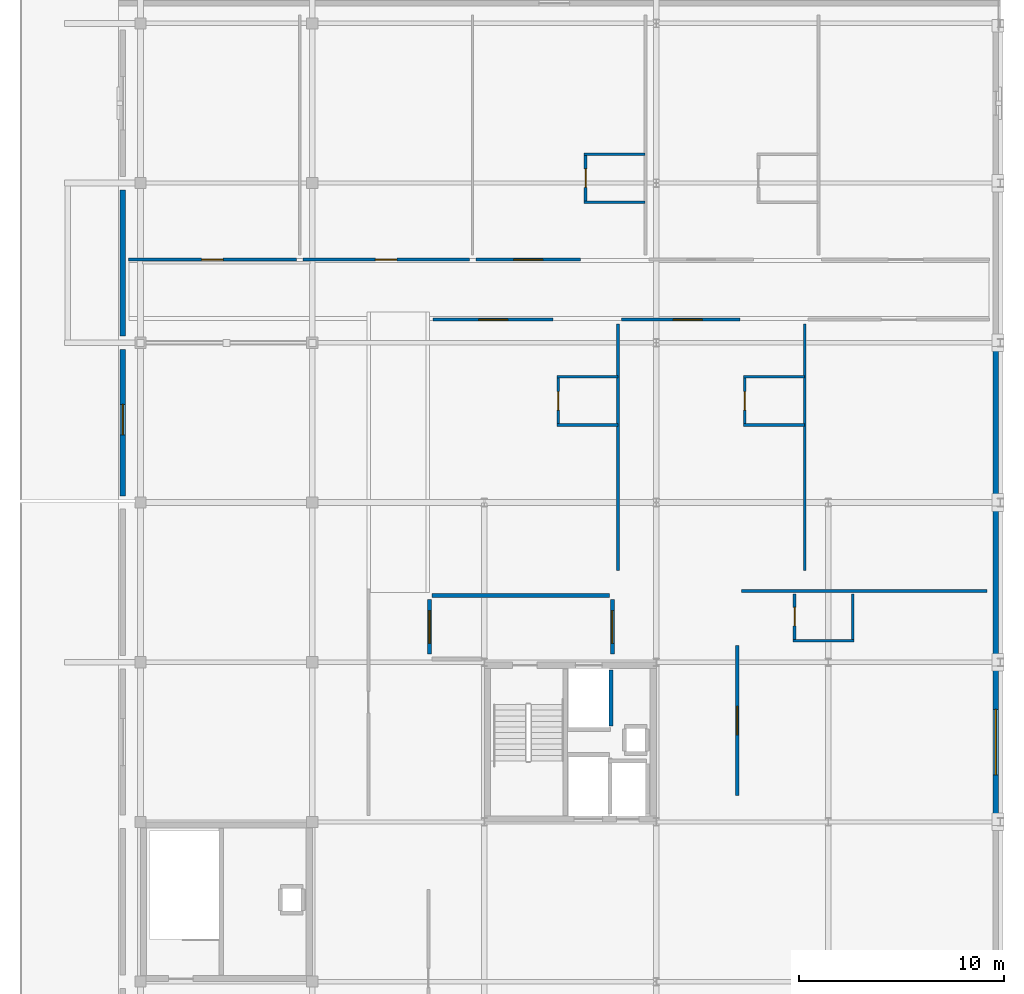
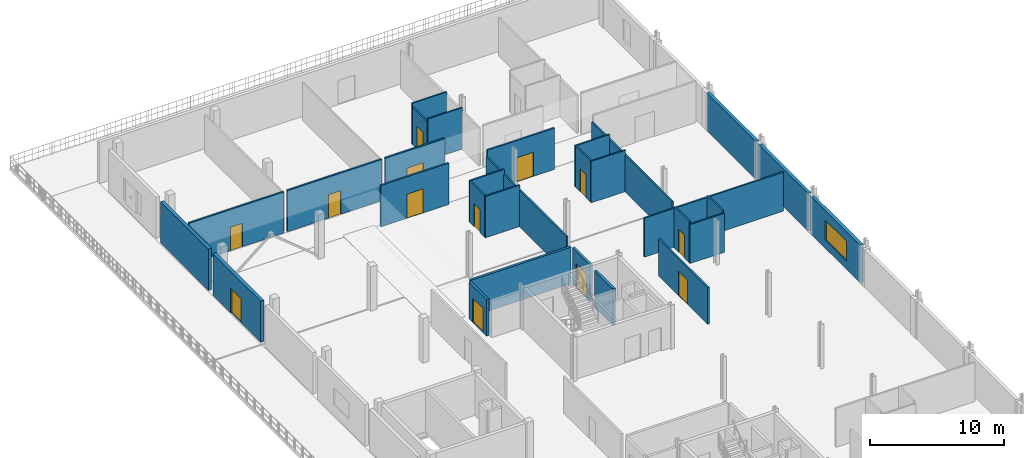
# One storey, part 9 of 16: 30 walls, 13 doors, 1 window, 14 openings.
"""IFC4 building model written with IfcOpenShell, lengths in metres."""

from ifc_helpers import new_model, si_unit, direction, frame, frame_2d, origin, place, context, subcontext, project, spatial, rectangle, extrude, material, layer, layer_set, type_object, element, fill, save


model = new_model("IFC4")

# Units and contexts
model_context = context("Model", 3, precision=1e-05, world=origin(), true_north=direction((0.0, 1.0)))
body_context = subcontext(model_context, "Body", "Model", "MODEL_VIEW")
ifc_project = project(units=[si_unit("LENGTHUNIT", "METRE"), si_unit("AREAUNIT", "SQUARE_METRE"), si_unit("VOLUMEUNIT", "CUBIC_METRE"), si_unit("PLANEANGLEUNIT", "RADIAN"), si_unit("MASSUNIT", "GRAM", prefix="KILO")], contexts=[model_context])

# Site, building, storey
site_placement = place(None, origin())
site = spatial("IfcSite", under=ifc_project, at=site_placement, CompositionType="ELEMENT")
building_placement = place(site_placement, origin())
building = spatial("IfcBuilding", under=site, at=building_placement, Name="Nabrawat Pavilion Hospital", CompositionType="ELEMENT")
storey_placement = place(building_placement, frame((0.0, 0.0, 31.050048828125)))
storey = spatial("IfcBuildingStorey", under=building, at=storey_placement, Name="L07", CompositionType="ELEMENT", Elevation=31.050048828125)

# Wall, opening, door
ifc_material_1 = material(Name="Gypsum Fireboard on Steel Stud", Category="steel")
ifc_layer_1 = layer(ifc_material_1, 0.14990234375, Name="Gypsum Fireboard on Steel Stud")
ifc_layer_set_1 = layer_set([ifc_layer_1], Name="Gypsum Fireboard on Steel Stud")
wall_type_1 = type_object("IfcWallType", Name="Clinical Corridor Smoke-Barrier Wall 150", PredefinedType="PARTITIONING", material=ifc_layer_set_1)
wall_1_placement = place(storey_placement, frame((165.5, 94.735107421875, 0.0), z_axis=(0.0, 0.0, 1.0), x_axis=(1.0, 0.0, 0.0)))
wall_1 = element("IfcWall", 1, at=wall_1_placement, inside=storey, type_object=wall_type_1, Name="L07 Inpatient Ward Negative-Pressure Respiratory Suite L07-01 Front Partition", PredefinedType="PARTITIONING", context=body_context, shape_type="SweptSolid", body=[
    extrude(rectangle(XDim=5.86328125, YDim=0.14990234375, at=frame_2d((2.931640625, 0.0))), origin(), (0.0, 0.0, 1.0), 3.77001953125),
])
opening_1_placement = place(wall_1_placement, frame((2.231689453125, 0.0, 0.0)))
opening_1 = element("IfcOpeningElement", 2, at=opening_1_placement, cuts=wall_1, Name="Opening D-BED", PredefinedType="OPENING", context=body_context, shape_type="SweptSolid", body=[
    extrude(rectangle(XDim=1.39990234375, YDim=2.199951171875, at=frame_2d((0.699951171875, 1.10009765625))), frame((0.0, 0.0849609375, 0.0), z_axis=(0.0, -1.0, 0.0), x_axis=(1.0, 0.0, 0.0)), (0.0, 0.0, 1.0), 0.169921875),
])
ifc_material_2 = material(Name="Stainless-Clad Acoustic Timber and Vision Glass", Category="wood")
door_type_1 = type_object("IfcDoorType", Name="D-BED Inpatient Ward Leaf-and-a-Half Door 1400x2200", OperationType="NOTDEFINED", PredefinedType="DOOR", material=ifc_material_2)
door_1_placement = place(opening_1_placement, origin())
door_1 = element("IfcDoor", 3, at=door_1_placement, inside=storey, type_object=door_type_1, Name="Inpatient Ward Negative-Pressure Respiratory Suite L07-01 Door", OperationType="SINGLE_SWING_LEFT", OverallHeight=2.199951171875, OverallWidth=1.39990234375, PredefinedType="DOOR", context=body_context, shape_type="SweptSolid", body=[
    extrude(rectangle(XDim=1.39990234375, YDim=2.199951171875, at=frame_2d((0.699951171875, 1.10009765625))), frame((0.0, 0.02490234375, 0.0), z_axis=(0.0, -1.0, 0.0), x_axis=(1.0, 0.0, 0.0)), (0.0, 0.0, 1.0), 0.050048828125),
])
fill(opening_1, door_1)

wall_2_placement = place(storey_placement, frame((174.693359375, 94.735107421875, 0.0), z_axis=(0.0, 0.0, 1.0), x_axis=(1.0, 0.0, 0.0)))
wall_2 = element("IfcWall", 4, at=wall_2_placement, inside=storey, type_object=wall_type_1, Name="L07 Inpatient Ward Infectious Isolation Bedroom L07-02 Front Partition", PredefinedType="PARTITIONING", context=body_context, shape_type="SweptSolid", body=[
    extrude(rectangle(XDim=5.783447265625, YDim=0.14990234375, at=frame_2d((2.8916015625, 0.0))), origin(), (0.0, 0.0, 1.0), 3.77001953125),
])
opening_2_placement = place(wall_2_placement, frame((2.541748046875, 0.0, 0.0)))
opening_2 = element("IfcOpeningElement", 5, at=opening_2_placement, cuts=wall_2, Name="Opening D-BED", PredefinedType="OPENING", context=body_context, shape_type="SweptSolid", body=[
    extrude(rectangle(XDim=1.39990234375, YDim=2.199951171875, at=frame_2d((0.699951171875, 1.10009765625))), frame((0.0, 0.0849609375, 0.0), z_axis=(0.0, -1.0, 0.0), x_axis=(1.0, 0.0, 0.0)), (0.0, 0.0, 1.0), 0.169921875),
])
door_2_placement = place(opening_2_placement, origin())
door_2 = element("IfcDoor", 6, at=door_2_placement, inside=storey, type_object=door_type_1, Name="Inpatient Ward Infectious Isolation Bedroom L07-02 Door", OperationType="SINGLE_SWING_LEFT", OverallHeight=2.199951171875, OverallWidth=1.39990234375, PredefinedType="DOOR", context=body_context, shape_type="SweptSolid", body=[
    extrude(rectangle(XDim=1.39990234375, YDim=2.199951171875, at=frame_2d((0.699951171875, 1.10009765625))), frame((0.0, 0.02490234375, 0.0), z_axis=(0.0, -1.0, 0.0), x_axis=(1.0, 0.0, 0.0)), (0.0, 0.0, 1.0), 0.050048828125),
])
fill(opening_2, door_2)

wall_3_placement = place(storey_placement, frame((150.6201171875, 97.6650390625, 0.0), z_axis=(0.0, 0.0, 1.0), x_axis=(1.0, 0.0, 0.0)))
wall_3 = element("IfcWall", 7, at=wall_3_placement, inside=storey, type_object=wall_type_1, Name="L07 Isolation Ward Nurse Station L07-04 Front Partition", PredefinedType="PARTITIONING", context=body_context, shape_type="SweptSolid", body=[
    extrude(rectangle(XDim=8.203857421875, YDim=0.14990234375, at=frame_2d((4.10205078125, 0.0))), origin(), (0.0, 0.0, 1.0), 3.77001953125),
])
opening_3_placement = place(wall_3_placement, frame((3.576904296875, 0.0, 0.0)))
opening_3 = element("IfcOpeningElement", 8, at=opening_3_placement, cuts=wall_3, Name="Opening D-OPC-L", PredefinedType="OPENING", context=body_context, shape_type="SweptSolid", body=[
    extrude(rectangle(XDim=1.050048828125, YDim=2.14990234375, at=frame_2d((0.52490234375, 1.074951171875))), frame((0.0, 0.0849609375, 0.0), z_axis=(0.0, -1.0, 0.0), x_axis=(1.0, 0.0, 0.0)), (0.0, 0.0, 1.0), 0.169921875),
])
door_type_2 = type_object("IfcDoorType", Name="Outpatient Clinic Consultation Door L 1050x2150", OperationType="NOTDEFINED", PredefinedType="DOOR", material=ifc_material_2)
door_3_placement = place(opening_3_placement, origin())
door_3 = element("IfcDoor", 9, at=door_3_placement, inside=storey, type_object=door_type_2, Name="Isolation Ward Nurse Station L07-04 Door", OperationType="SINGLE_SWING_RIGHT", OverallHeight=2.14990234375, OverallWidth=1.050048828125, PredefinedType="DOOR", context=body_context, shape_type="SweptSolid", body=[
    extrude(rectangle(XDim=1.050048828125, YDim=2.14990234375, at=frame_2d((0.52490234375, 1.074951171875))), frame((0.0, 0.02490234375, 0.0), z_axis=(0.0, -1.0, 0.0), x_axis=(1.0, 0.0, 0.0)), (0.0, 0.0, 1.0), 0.050048828125),
])
fill(opening_3, door_3)

wall_4_placement = place(storey_placement, frame((159.14404296875, 97.6650390625, 0.0), z_axis=(0.0, 0.0, 1.0), x_axis=(1.0, 0.0, 0.0)))
wall_4 = element("IfcWall", 10, at=wall_4_placement, inside=storey, type_object=wall_type_1, Name="L07 Pulmonary Function and Respiratory Therapy Suite L07-05 Front Partition", PredefinedType="PARTITIONING", context=body_context, shape_type="SweptSolid", body=[
    extrude(rectangle(XDim=8.1240234375, YDim=0.14990234375, at=frame_2d((4.06201171875, 0.0))), origin(), (0.0, 0.0, 1.0), 3.77001953125),
])
opening_4_placement = place(wall_4_placement, frame((3.537109375, 0.0, 0.0)))
opening_4 = element("IfcOpeningElement", 11, at=opening_4_placement, cuts=wall_4, Name="Opening D-OPC-R", PredefinedType="OPENING", context=body_context, shape_type="SweptSolid", body=[
    extrude(rectangle(XDim=1.050048828125, YDim=2.14990234375, at=frame_2d((0.52490234375, 1.074951171875))), frame((0.0, 0.0849609375, 0.0), z_axis=(0.0, -1.0, 0.0), x_axis=(1.0, 0.0, 0.0)), (0.0, 0.0, 1.0), 0.169921875),
])
door_type_3 = type_object("IfcDoorType", Name="Outpatient Clinic Consultation Door R 1050x2150", OperationType="NOTDEFINED", PredefinedType="DOOR", material=ifc_material_2)
door_4_placement = place(opening_4_placement, origin())
door_4 = element("IfcDoor", 12, at=door_4_placement, inside=storey, type_object=door_type_3, Name="Pulmonary Function and Respiratory Therapy Suite L07-05 Door", OperationType="SINGLE_SWING_LEFT", OverallHeight=2.14990234375, OverallWidth=1.050048828125, PredefinedType="DOOR", context=body_context, shape_type="SweptSolid", body=[
    extrude(rectangle(XDim=1.050048828125, YDim=2.14990234375, at=frame_2d((0.52490234375, 1.074951171875))), frame((0.0, 0.02490234375, 0.0), z_axis=(0.0, -1.0, 0.0), x_axis=(1.0, 0.0, 0.0)), (0.0, 0.0, 1.0), 0.050048828125),
])
fill(opening_4, door_4)

wall_5_placement = place(storey_placement, frame((167.587890625, 97.6650390625, 0.0), z_axis=(0.0, 0.0, 1.0), x_axis=(1.0, 0.0, 0.0)))
wall_5 = element("IfcWall", 13, at=wall_5_placement, inside=storey, type_object=wall_type_1, Name="L07 Inpatient Ward Negative-Pressure Respiratory Suite L07-06 Front Partition", PredefinedType="PARTITIONING", context=body_context, shape_type="SweptSolid", body=[
    extrude(rectangle(XDim=5.114013671875, YDim=0.14990234375, at=frame_2d((2.55712890625, 0.0))), origin(), (0.0, 0.0, 1.0), 3.77001953125),
])
opening_5_placement = place(wall_5_placement, frame((1.85693359375, 0.0, 0.0)))
opening_5 = element("IfcOpeningElement", 14, at=opening_5_placement, cuts=wall_5, Name="Opening D-BED", PredefinedType="OPENING", context=body_context, shape_type="SweptSolid", body=[
    extrude(rectangle(XDim=1.39990234375, YDim=2.199951171875, at=frame_2d((0.699951171875, 1.10009765625))), frame((0.0, 0.0849609375, 0.0), z_axis=(0.0, -1.0, 0.0), x_axis=(1.0, 0.0, 0.0)), (0.0, 0.0, 1.0), 0.169921875),
])
door_5_placement = place(opening_5_placement, origin())
door_5 = element("IfcDoor", 15, at=door_5_placement, inside=storey, type_object=door_type_1, Name="Inpatient Ward Negative-Pressure Respiratory Suite L07-06 Door", OperationType="SINGLE_SWING_RIGHT", OverallHeight=2.199951171875, OverallWidth=1.39990234375, PredefinedType="DOOR", context=body_context, shape_type="SweptSolid", body=[
    extrude(rectangle(XDim=1.39990234375, YDim=2.199951171875, at=frame_2d((0.699951171875, 1.10009765625))), frame((0.0, 0.02490234375, 0.0), z_axis=(0.0, -1.0, 0.0), x_axis=(1.0, 0.0, 0.0)), (0.0, 0.0, 1.0), 0.050048828125),
])
fill(opening_5, door_5)

wall_6_placement = place(storey_placement, frame((180.35009765625, 71.47998046875, 0.0), z_axis=(0.0, 0.0, 1.0), x_axis=(0.0, 1.0, 0.0)))
wall_6 = element("IfcWall", 16, at=wall_6_placement, inside=storey, type_object=wall_type_1, Name="L07 Inpatient Ward Respiratory Boulevard Suite L07-E4 Front Partition", PredefinedType="PARTITIONING", context=body_context, shape_type="SweptSolid", body=[
    extrude(rectangle(XDim=7.330078125, YDim=0.14990234375, at=frame_2d((3.6650390625, 0.0))), origin(), (0.0, 0.0, 1.0), 3.33984375),
])
opening_6_placement = place(wall_6_placement, frame((2.965087890625, 0.0, 0.0)))
opening_6 = element("IfcOpeningElement", 17, at=opening_6_placement, cuts=wall_6, Name="Opening D-BED", PredefinedType="OPENING", context=body_context, shape_type="SweptSolid", body=[
    extrude(rectangle(XDim=1.39990234375, YDim=2.199951171875, at=frame_2d((0.699951171875, 1.10009765625))), frame((0.0, 0.0849609375, 0.0), z_axis=(0.0, -1.0, 0.0), x_axis=(1.0, 0.0, 0.0)), (0.0, 0.0, 1.0), 0.169921875),
])
door_6_placement = place(opening_6_placement, origin())
door_6 = element("IfcDoor", 18, at=door_6_placement, inside=storey, type_object=door_type_1, Name="Inpatient Ward Respiratory Boulevard Suite L07-E4 Door", OperationType="SINGLE_SWING_RIGHT", OverallHeight=2.199951171875, OverallWidth=1.39990234375, PredefinedType="DOOR", context=body_context, shape_type="SweptSolid", body=[
    extrude(rectangle(XDim=1.39990234375, YDim=2.199951171875, at=frame_2d((0.699951171875, 1.10009765625))), frame((0.0, 0.02490234375, 0.0), z_axis=(0.0, -1.0, 0.0), x_axis=(1.0, 0.0, 0.0)), (0.0, 0.0, 1.0), 0.050048828125),
])
fill(opening_6, door_6)

ifc_material_3 = material(Name="Cement Board on Steel Stud", Category="steel")
ifc_layer_2 = layer(ifc_material_3, 0.1298828125, Name="Cement Board on Steel Stud")
ifc_layer_set_2 = layer_set([ifc_layer_2], Name="Cement Board on Steel Stud")
wall_type_2 = type_object("IfcWallType", Name="En-Suite Moisture-Resistant Partition 130", PredefinedType="PARTITIONING", material=ifc_layer_set_2)
wall_7_placement = place(storey_placement, frame((171.603271484375, 89.64990234375, 0.0), z_axis=(0.0, 0.0, 1.0), x_axis=(0.0, 1.0, 0.0)))
wall_7 = element("IfcWall", 19, at=wall_7_placement, inside=storey, type_object=wall_type_2, Name="L07 En-Suite Bathroom WRD-RSP-01 Front Partition", PredefinedType="PARTITIONING", context=body_context, shape_type="SweptSolid", body=[
    extrude(rectangle(XDim=2.22021484375, YDim=0.1298828125, at=frame_2d((1.110107421875, 0.0))), origin(), (0.0, 0.0, 1.0), 3.77001953125),
])
opening_7_placement = place(wall_7_placement, frame((0.659912109375, 0.0, 0.0)))
opening_7 = element("IfcOpeningElement", 20, at=opening_7_placement, cuts=wall_7, Name="Opening D-ENS-L", PredefinedType="OPENING", context=body_context, shape_type="SweptSolid", body=[
    extrude(rectangle(XDim=0.89990234375, YDim=2.10009765625, at=frame_2d((0.449951171875, 1.050048828125))), frame((0.0, 0.074951171875, 0.0), z_axis=(0.0, -1.0, 0.0), x_axis=(1.0, 0.0, 0.0)), (0.0, 0.0, 1.0), 0.14990234375),
])
door_type_4 = type_object("IfcDoorType", Name="En-Suite Bathroom Outward Door L 900x2100", OperationType="NOTDEFINED", PredefinedType="DOOR", material=ifc_material_2)
door_7_placement = place(opening_7_placement, origin())
door_7 = element("IfcDoor", 21, at=door_7_placement, inside=storey, type_object=door_type_4, Name="En-Suite Bathroom WRD-RSP-01 Door", OperationType="SINGLE_SWING_RIGHT", OverallHeight=2.10009765625, OverallWidth=0.89990234375, PredefinedType="DOOR", context=body_context, shape_type="SweptSolid", body=[
    extrude(rectangle(XDim=0.89990234375, YDim=2.10009765625, at=frame_2d((0.449951171875, 1.050048828125))), frame((0.0, 0.02490234375, 0.0), z_axis=(0.0, -1.0, 0.0), x_axis=(1.0, 0.0, 0.0)), (0.0, 0.0, 1.0), 0.050048828125),
])
fill(opening_7, door_7)

# Walls
for number, where, z_axis, x_axis, name in (
    (22, (171.538330078125, 89.5849609375, 0.0), (0.0, 0.0, 1.0), (1.0, 0.0, 0.0), "L07 En-Suite Bathroom WRD-RSP-01 South Partition"),
    (23, (171.538330078125, 91.93505859375, 0.0), (0.0, 0.0, 1.0), (1.0, 0.0, 0.0), "L07 En-Suite Bathroom WRD-RSP-01 North Partition"),
):
    element("IfcWall", number, at=place(storey_placement, frame(where, z_axis=z_axis, x_axis=x_axis)), inside=storey, type_object=wall_type_2, Name=name, PredefinedType="PARTITIONING", context=body_context, shape_type="SweptSolid", body=[
        extrude(rectangle(XDim=2.97998046875, YDim=0.1298828125, at=frame_2d((1.489990234375, 0.0))), origin(), (0.0, 0.0, 1.0), 3.77001953125),
    ])

# Wall, opening, door
wall_8_placement = place(storey_placement, frame((180.716796875, 89.64990234375, 0.0), z_axis=(0.0, 0.0, 1.0), x_axis=(0.0, 1.0, 0.0)))
wall_8 = element("IfcWall", 24, at=wall_8_placement, inside=storey, type_object=wall_type_2, Name="L07 En-Suite Bathroom WRD-INF-02 Front Partition", PredefinedType="PARTITIONING", context=body_context, shape_type="SweptSolid", body=[
    extrude(rectangle(XDim=2.22021484375, YDim=0.1298828125, at=frame_2d((1.110107421875, 0.0))), origin(), (0.0, 0.0, 1.0), 3.77001953125),
])
opening_8_placement = place(wall_8_placement, frame((0.659912109375, 0.0, 0.0)))
opening_8 = element("IfcOpeningElement", 25, at=opening_8_placement, cuts=wall_8, Name="Opening D-ENS-L", PredefinedType="OPENING", context=body_context, shape_type="SweptSolid", body=[
    extrude(rectangle(XDim=0.89990234375, YDim=2.10009765625, at=frame_2d((0.449951171875, 1.050048828125))), frame((0.0, 0.074951171875, 0.0), z_axis=(0.0, -1.0, 0.0), x_axis=(1.0, 0.0, 0.0)), (0.0, 0.0, 1.0), 0.14990234375),
])
door_8_placement = place(opening_8_placement, origin())
door_8 = element("IfcDoor", 26, at=door_8_placement, inside=storey, type_object=door_type_4, Name="En-Suite Bathroom WRD-INF-02 Door", OperationType="SINGLE_SWING_RIGHT", OverallHeight=2.10009765625, OverallWidth=0.89990234375, PredefinedType="DOOR", context=body_context, shape_type="SweptSolid", body=[
    extrude(rectangle(XDim=0.89990234375, YDim=2.10009765625, at=frame_2d((0.449951171875, 1.050048828125))), frame((0.0, 0.02490234375, 0.0), z_axis=(0.0, -1.0, 0.0), x_axis=(1.0, 0.0, 0.0)), (0.0, 0.0, 1.0), 0.050048828125),
])
fill(opening_8, door_8)

# Walls
for number, where, z_axis, x_axis, name in (
    (27, (180.651611328125, 89.5849609375, 0.0), (0.0, 0.0, 1.0), (1.0, 0.0, 0.0), "L07 En-Suite Bathroom WRD-INF-02 South Partition"),
    (28, (180.651611328125, 91.93505859375, 0.0), (0.0, 0.0, 1.0), (1.0, 0.0, 0.0), "L07 En-Suite Bathroom WRD-INF-02 North Partition"),
):
    element("IfcWall", number, at=place(storey_placement, frame(where, z_axis=z_axis, x_axis=x_axis)), inside=storey, type_object=wall_type_2, Name=name, PredefinedType="PARTITIONING", context=body_context, shape_type="SweptSolid", body=[
        extrude(rectangle(XDim=2.97998046875, YDim=0.1298828125, at=frame_2d((1.489990234375, 0.0))), origin(), (0.0, 0.0, 1.0), 3.77001953125),
    ])

# Wall, opening, door
wall_9_placement = place(storey_placement, frame((172.94189453125, 100.530029296875, 0.0), z_axis=(0.0, 0.0, 1.0), x_axis=(0.0, 1.0, 0.0)))
wall_9 = element("IfcWall", 29, at=wall_9_placement, inside=storey, type_object=wall_type_2, Name="L07 En-Suite Bathroom WRD-RSP-06 Front Partition", PredefinedType="PARTITIONING", context=body_context, shape_type="SweptSolid", body=[
    extrude(rectangle(XDim=2.219970703125, YDim=0.1298828125, at=frame_2d((1.10986328125, 0.0))), origin(), (0.0, 0.0, 1.0), 3.43994140625),
])
opening_9_placement = place(wall_9_placement, frame((0.659912109375, 0.0, 0.0)))
opening_9 = element("IfcOpeningElement", 30, at=opening_9_placement, cuts=wall_9, Name="Opening D-ENS-R", PredefinedType="OPENING", context=body_context, shape_type="SweptSolid", body=[
    extrude(rectangle(XDim=0.89990234375, YDim=2.10009765625, at=frame_2d((0.449951171875, 1.050048828125))), frame((0.0, 0.074951171875, 0.0), z_axis=(0.0, -1.0, 0.0), x_axis=(1.0, 0.0, 0.0)), (0.0, 0.0, 1.0), 0.14990234375),
])
door_type_5 = type_object("IfcDoorType", Name="En-Suite Bathroom Outward Door R 900x2100", OperationType="NOTDEFINED", PredefinedType="DOOR", material=ifc_material_2)
door_9_placement = place(opening_9_placement, origin())
door_9 = element("IfcDoor", 31, at=door_9_placement, inside=storey, type_object=door_type_5, Name="En-Suite Bathroom WRD-RSP-06 Door", OperationType="SINGLE_SWING_LEFT", OverallHeight=2.10009765625, OverallWidth=0.89990234375, PredefinedType="DOOR", context=body_context, shape_type="SweptSolid", body=[
    extrude(rectangle(XDim=0.89990234375, YDim=2.10009765625, at=frame_2d((0.449951171875, 1.050048828125))), frame((0.0, 0.02490234375, 0.0), z_axis=(0.0, -1.0, 0.0), x_axis=(1.0, 0.0, 0.0)), (0.0, 0.0, 1.0), 0.050048828125),
])
fill(opening_9, door_9)

# Walls
for number, where, z_axis, x_axis, name in (
    (32, (172.876953125, 100.465087890625, 0.0), (0.0, 0.0, 1.0), (1.0, 0.0, 0.0), "L07 En-Suite Bathroom WRD-RSP-06 South Partition"),
    (33, (172.876953125, 102.81494140625, 0.0), (0.0, 0.0, 1.0), (1.0, 0.0, 0.0), "L07 En-Suite Bathroom WRD-RSP-06 North Partition"),
):
    element("IfcWall", number, at=place(storey_placement, frame(where, z_axis=z_axis, x_axis=x_axis)), inside=storey, type_object=wall_type_2, Name=name, PredefinedType="PARTITIONING", context=body_context, shape_type="SweptSolid", body=[
        extrude(rectangle(XDim=2.97998046875, YDim=0.1298828125, at=frame_2d((1.489990234375, 0.0))), origin(), (0.0, 0.0, 1.0), 3.77001953125),
    ])
wall_10_placement = place(storey_placement, frame((183.0849609375, 79.050048828125, 0.0), z_axis=(0.0, 0.0, 1.0), x_axis=(1.0, 0.0, 0.0)))
element("IfcWall", 34, at=wall_10_placement, inside=storey, type_object=wall_type_2, Name="L07 En-Suite Bathroom WRD-RSP-E4 Front Partition", PredefinedType="PARTITIONING", context=body_context, shape_type="SweptSolid", body=[
    extrude(rectangle(XDim=2.97998046875, YDim=0.1298828125, at=frame_2d((1.489990234375, 0.0))), origin(), (0.0, 0.0, 1.0), 3.550048828125),
])

# Wall, opening, door
wall_11_placement = place(storey_placement, frame((183.14990234375, 79.114990234375, 0.0), z_axis=(0.0, 0.0, 1.0), x_axis=(0.0, 1.0, 0.0)))
wall_11 = element("IfcWall", 35, at=wall_11_placement, inside=storey, type_object=wall_type_2, Name="L07 En-Suite Bathroom WRD-RSP-E4 West Partition", PredefinedType="PARTITIONING", context=body_context, shape_type="SweptSolid", body=[
    extrude(rectangle(XDim=2.219970703125, YDim=0.1298828125, at=frame_2d((1.10986328125, 0.0))), origin(), (0.0, 0.0, 1.0), 3.77001953125),
])
opening_10_placement = place(wall_11_placement, frame((0.659912109375, 0.0, 0.0)))
opening_10 = element("IfcOpeningElement", 36, at=opening_10_placement, cuts=wall_11, Name="Opening D-ENS-L", PredefinedType="OPENING", context=body_context, shape_type="SweptSolid", body=[
    extrude(rectangle(XDim=0.89990234375, YDim=2.10009765625, at=frame_2d((0.449951171875, 1.050048828125))), frame((0.0, 0.074951171875, 0.0), z_axis=(0.0, -1.0, 0.0), x_axis=(1.0, 0.0, 0.0)), (0.0, 0.0, 1.0), 0.14990234375),
])
door_10_placement = place(opening_10_placement, origin())
door_10 = element("IfcDoor", 37, at=door_10_placement, inside=storey, type_object=door_type_4, Name="En-Suite Bathroom WRD-RSP-E4 Door", OperationType="SINGLE_SWING_LEFT", OverallHeight=2.10009765625, OverallWidth=0.89990234375, PredefinedType="DOOR", context=body_context, shape_type="SweptSolid", body=[
    extrude(rectangle(XDim=0.89990234375, YDim=2.10009765625, at=frame_2d((0.449951171875, 1.050048828125))), frame((0.0, 0.02490234375, 0.0), z_axis=(0.0, -1.0, 0.0), x_axis=(1.0, 0.0, 0.0)), (0.0, 0.0, 1.0), 0.050048828125),
])
fill(opening_10, door_10)

# Walls
wall_12_placement = place(storey_placement, frame((186.0, 79.114990234375, 0.0), z_axis=(0.0, 0.0, 1.0), x_axis=(0.0, 1.0, 0.0)))
element("IfcWall", 38, at=wall_12_placement, inside=storey, type_object=wall_type_2, Name="L07 En-Suite Bathroom WRD-RSP-E4 East Partition", PredefinedType="PARTITIONING", context=body_context, shape_type="SweptSolid", body=[
    extrude(rectangle(XDim=2.219970703125, YDim=0.1298828125, at=frame_2d((1.10986328125, 0.0))), origin(), (0.0, 0.0, 1.0), 3.77001953125),
])
ifc_material_4 = material(Name="Concrete C35/45", Category="concrete")
ifc_layer_3 = layer(ifc_material_4, 0.199951171875, Name="Concrete C35/45")
ifc_layer_set_3 = layer_set([ifc_layer_3], Name="Concrete C35/45")
wall_type_3 = type_object("IfcWallType", Name="Firefighting Lobby Compartment Wall 200", PredefinedType="PARTITIONING", material=ifc_layer_set_3)
wall_13_placement = place(storey_placement, frame((165.43994140625, 81.25, 0.0), z_axis=(0.0, 0.0, 1.0), x_axis=(1.0, 0.0, 0.0)))
element("IfcWall", 39, at=wall_13_placement, inside=storey, type_object=wall_type_3, Name="L07 CORE-6 Firefighting Lobby North Compartment Wall", PredefinedType="PARTITIONING", context=body_context, shape_type="SweptSolid", body=[
    extrude(rectangle(XDim=8.66015625, YDim=0.199951171875, at=frame_2d((4.330078125, 0.0))), origin(), (0.0, 0.0, 1.0), 3.33984375),
])

# Wall, opening, door
wall_14_placement = place(storey_placement, frame((165.320068359375, 78.39990234375, 0.0), z_axis=(0.0, 0.0, 1.0), x_axis=(0.0, 1.0, 0.0)))
wall_14 = element("IfcWall", 40, at=wall_14_placement, inside=storey, type_object=wall_type_3, Name="L07 CORE-6 Firefighting Lobby West Compartment Wall", PredefinedType="PARTITIONING", context=body_context, shape_type="SweptSolid", body=[
    extrude(rectangle(XDim=2.650146484375, YDim=0.199951171875, at=frame_2d((1.3251953125, 0.0))), origin(), (0.0, 0.0, 1.0), 3.33984375),
])
opening_11_placement = place(wall_14_placement, frame((0.52490234375, 0.0, 0.0)))
opening_11 = element("IfcOpeningElement", 41, at=opening_11_placement, cuts=wall_14, Name="Opening D-FFL", PredefinedType="OPENING", context=body_context, shape_type="SweptSolid", body=[
    extrude(rectangle(XDim=1.60009765625, YDim=2.199951171875, at=frame_2d((0.800048828125, 1.10009765625))), frame((0.0, 0.10986328125, 0.0), z_axis=(0.0, -1.0, 0.0), x_axis=(1.0, 0.0, 0.0)), (0.0, 0.0, 1.0), 0.219970703125),
])
door_type_6 = type_object("IfcDoorType", Name="D-FFL Firefighting Lobby Double Smoke Door 1600x2200", OperationType="NOTDEFINED", PredefinedType="DOOR", material=ifc_material_2)
door_11_placement = place(opening_11_placement, origin())
door_11 = element("IfcDoor", 42, at=door_11_placement, inside=storey, type_object=door_type_6, Name="L07 CORE-6 Firefighting Lobby West Smoke Door", OperationType="DOUBLE_DOOR_SINGLE_SWING", OverallHeight=2.199951171875, OverallWidth=1.60009765625, PredefinedType="DOOR", context=body_context, shape_type="SweptSolid", body=[
    extrude(rectangle(XDim=1.60009765625, YDim=2.199951171875, at=frame_2d((0.800048828125, 1.10009765625))), frame((0.0, 0.02490234375, 0.0), z_axis=(0.0, -1.0, 0.0), x_axis=(1.0, 0.0, 0.0)), (0.0, 0.0, 1.0), 0.050048828125),
])
fill(opening_11, door_11)

wall_15_placement = place(storey_placement, frame((174.25, 78.39990234375, 0.0), z_axis=(0.0, 0.0, 1.0), x_axis=(0.0, 1.0, 0.0)))
wall_15 = element("IfcWall", 43, at=wall_15_placement, inside=storey, type_object=wall_type_3, Name="L07 CORE-6 Firefighting Lobby East Compartment Wall", PredefinedType="PARTITIONING", context=body_context, shape_type="SweptSolid", body=[
    extrude(rectangle(XDim=2.650146484375, YDim=0.199951171875, at=frame_2d((1.3251953125, 0.0))), origin(), (0.0, 0.0, 1.0), 3.33984375),
])
opening_12_placement = place(wall_15_placement, frame((0.52490234375, 0.0, 0.0)))
opening_12 = element("IfcOpeningElement", 44, at=opening_12_placement, cuts=wall_15, Name="Opening D-FFL", PredefinedType="OPENING", context=body_context, shape_type="SweptSolid", body=[
    extrude(rectangle(XDim=1.60009765625, YDim=2.199951171875, at=frame_2d((0.800048828125, 1.10009765625))), frame((0.0, 0.10986328125, 0.0), z_axis=(0.0, -1.0, 0.0), x_axis=(1.0, 0.0, 0.0)), (0.0, 0.0, 1.0), 0.219970703125),
])
door_12_placement = place(opening_12_placement, origin())
door_12 = element("IfcDoor", 45, at=door_12_placement, inside=storey, type_object=door_type_6, Name="L07 CORE-6 Firefighting Lobby East Smoke Door", OperationType="DOUBLE_DOOR_SINGLE_SWING", OverallHeight=2.199951171875, OverallWidth=1.60009765625, PredefinedType="DOOR", context=body_context, shape_type="SweptSolid", body=[
    extrude(rectangle(XDim=1.60009765625, YDim=2.199951171875, at=frame_2d((0.800048828125, 1.10009765625))), frame((0.0, 0.02490234375, 0.0), z_axis=(0.0, -1.0, 0.0), x_axis=(1.0, 0.0, 0.0)), (0.0, 0.0, 1.0), 0.050048828125),
])
fill(opening_12, door_12)

# Walls
ifc_material_5 = material(Name="Acoustic Gypsum on Steel Stud", Category="steel")
ifc_layer_4 = layer(ifc_material_5, 0.139892578125, Name="Acoustic Gypsum on Steel Stud")
ifc_layer_set_4 = layer_set([ifc_layer_4], Name="Acoustic Gypsum on Steel Stud")
wall_type_4 = type_object("IfcWallType", Name="Inpatient Ward Acoustic Partition 140", PredefinedType="PARTITIONING", material=ifc_layer_set_4)
for number, where, z_axis, x_axis, name in (
    (46, (174.533203125, 82.489990234375, 0.0), (0.0, 0.0, 1.0), (0.0, 1.0, 0.0), "L07 Inpatient Ward Negative-Pressure Respiratory Suite L07-01 Dividing Partition"),
    (47, (183.646728515625, 82.489990234375, 0.0), (0.0, 0.0, 1.0), (0.0, 1.0, 0.0), "L07 Inpatient Ward Infectious Isolation Bedroom L07-02 Dividing Partition"),
):
    element("IfcWall", number, at=place(storey_placement, frame(where, z_axis=z_axis, x_axis=x_axis)), inside=storey, type_object=wall_type_4, Name=name, PredefinedType="PARTITIONING", context=body_context, shape_type="SweptSolid", body=[
        extrude(rectangle(XDim=12.02490234375, YDim=0.139892578125, at=frame_2d((6.012451171875, 0.0))), origin(), (0.0, 0.0, 1.0), 3.33984375),
    ])
wall_16_placement = place(storey_placement, frame((180.570068359375, 81.47998046875, 0.0), z_axis=(0.0, 0.0, 1.0), x_axis=(1.0, 0.0, 0.0)))
element("IfcWall", 48, at=wall_16_placement, inside=storey, type_object=wall_type_4, Name="L07 Inpatient Ward Respiratory Boulevard Suite L07-E4 Dividing Partition", PredefinedType="PARTITIONING", context=body_context, shape_type="SweptSolid", body=[
    extrude(rectangle(XDim=11.97998046875, YDim=0.139892578125, at=frame_2d((5.989990234375, 0.0))), origin(), (0.0, 0.0, 1.0), 3.550048828125),
])

# Wall, opening, door
ifc_material_6 = material(Name="Precast concrete C40/50", Category="concrete")
ifc_layer_5 = layer(ifc_material_6, 0.280029296875, Name="Precast concrete C40/50")
ifc_layer_set_5 = layer_set([ifc_layer_5], Name="Precast concrete C40/50")
wall_type_5 = type_object("IfcWallType", Name="Insulated Precast Facade Wall 280", PredefinedType="SOLIDWALL", material=ifc_layer_set_5)
wall_17_placement = place(storey_placement, frame((150.340087890625, 86.125, 0.0), z_axis=(0.0, 0.0, 1.0), x_axis=(0.0, 1.0, 0.0)))
wall_17 = element("IfcWall", 49, at=wall_17_placement, inside=storey, type_object=wall_type_5, Name="L07 Insulated Precast Facade Wall 280 422", PredefinedType="SOLIDWALL", context=body_context, shape_type="SweptSolid", body=[
    extrude(rectangle(XDim=7.14990234375, YDim=0.280029296875, at=frame_2d((3.574951171875, 0.0))), origin(), (0.0, 0.0, 1.0), 3.77001953125),
])
opening_13_placement = place(wall_17_placement, frame((2.972412109375, 0.0, 0.0)))
opening_13 = element("IfcOpeningElement", 50, at=opening_13_placement, cuts=wall_17, Name="Opening ED-TER-150", PredefinedType="OPENING", context=body_context, shape_type="SweptSolid", body=[
    extrude(rectangle(XDim=1.5, YDim=2.199951171875, at=frame_2d((0.75, 1.10009765625))), frame((0.0, 0.14990234375, 0.0), z_axis=(0.0, -1.0, 0.0), x_axis=(1.0, 0.0, 0.0)), (0.0, 0.0, 1.0), 0.300048828125),
])
ifc_material_7 = material(Name="Powder-Coated Galvanised Steel and Safety Glass", Category="steel")
door_type_7 = type_object("IfcDoorType", Name="Clinical Recovery Terrace Double Door 1500x2200", OperationType="NOTDEFINED", PredefinedType="DOOR", material=ifc_material_7)
door_13_placement = place(opening_13_placement, origin())
door_13 = element("IfcDoor", 51, at=door_13_placement, inside=storey, type_object=door_type_7, Name="L07 Clinical Recovery Terrace Door T_L07_WARD_WEST_N", OperationType="DOUBLE_DOOR_SINGLE_SWING", OverallHeight=2.199951171875, OverallWidth=1.5, PredefinedType="DOOR", context=body_context, shape_type="SweptSolid", body=[
    extrude(rectangle(XDim=1.5, YDim=2.199951171875, at=frame_2d((0.75, 1.10009765625))), frame((0.0, 0.02490234375, 0.0), z_axis=(0.0, -1.0, 0.0), x_axis=(1.0, 0.0, 0.0)), (0.0, 0.0, 1.0), 0.050048828125),
])
fill(opening_13, door_13)

# Wall
wall_18_placement = place(storey_placement, frame((150.340087890625, 93.925048828125, 0.0), z_axis=(0.0, 0.0, 1.0), x_axis=(0.0, 1.0, 0.0)))
element("IfcWall", 52, at=wall_18_placement, inside=storey, type_object=wall_type_5, Name="L07 Insulated Precast Facade Wall 280 423", PredefinedType="SOLIDWALL", context=body_context, shape_type="SweptSolid", body=[
    extrude(rectangle(XDim=7.14990234375, YDim=0.280029296875, at=frame_2d((3.574951171875, 0.0))), origin(), (0.0, 0.0, 1.0), 3.77001953125),
])

# Wall, opening, window
wall_19_placement = place(storey_placement, frame((192.97998046875, 70.449951171875, 0.0), z_axis=(0.0, 0.0, 1.0), x_axis=(0.0, 1.0, 0.0)))
wall_19 = element("IfcWall", 53, at=wall_19_placement, inside=storey, type_object=wall_type_5, Name="L07 Insulated Precast Facade Wall 280 435", PredefinedType="SOLIDWALL", context=body_context, shape_type="SweptSolid", body=[
    extrude(rectangle(XDim=7.300048828125, YDim=0.280029296875, at=frame_2d((3.64990234375, 0.0))), origin(), (0.0, 0.0, 1.0), 3.43994140625),
])
opening_14_placement = place(wall_19_placement, frame((2.050048828125, 0.0, 0.75)))
opening_14 = element("IfcOpeningElement", 54, at=opening_14_placement, cuts=wall_19, Name="Opening WN-26", PredefinedType="OPENING", context=body_context, shape_type="SweptSolid", body=[
    extrude(rectangle(XDim=3.199951171875, YDim=1.800048828125, at=frame_2d((1.60009765625, 0.89990234375))), frame((0.0, 0.14990234375, 0.0), z_axis=(0.0, -1.0, 0.0), x_axis=(1.0, 0.0, 0.0)), (0.0, 0.0, 1.0), 0.300048828125),
])
ifc_material_8 = material(Name="Thermally Broken Aluminium and Solar Glass", Category="aluminium")
window_type = type_object("IfcWindowType", Name="Dayroom Picture Window 3200x1800", PartitioningType="SINGLE_PANEL", PredefinedType="WINDOW", material=ifc_material_8)
window_placement = place(opening_14_placement, origin())
window = element("IfcWindow", 55, at=window_placement, inside=storey, type_object=window_type, Name="L07 Dayroom Picture Window 3200x1800 154", OverallHeight=1.800048828125, OverallWidth=3.199951171875, PartitioningType="SINGLE_PANEL", PredefinedType="WINDOW", context=body_context, shape_type="SweptSolid", body=[
    extrude(rectangle(XDim=3.199951171875, YDim=1.800048828125, at=frame_2d((1.60009765625, 0.89990234375))), frame((0.0, 0.030029296875, 0.0), z_axis=(0.0, -1.0, 0.0), x_axis=(1.0, 0.0, 0.0)), (0.0, 0.0, 1.0), 0.06005859375),
])
fill(opening_14, window)

# Walls
for number, where, z_axis, x_axis, name in (
    (56, (192.97998046875, 78.25, 0.0), (0.0, 0.0, 1.0), (0.0, 1.0, 0.0), "L07 Insulated Precast Facade Wall 280 436"),
    (57, (192.97998046875, 86.050048828125, 0.0), (0.0, 0.0, 1.0), (0.0, 1.0, 0.0), "L07 Insulated Precast Facade Wall 280 437"),
):
    element("IfcWall", number, at=place(storey_placement, frame(where, z_axis=z_axis, x_axis=x_axis)), inside=storey, type_object=wall_type_5, Name=name, PredefinedType="SOLIDWALL", context=body_context, shape_type="SweptSolid", body=[
        extrude(rectangle(XDim=7.300048828125, YDim=0.280029296875, at=frame_2d((3.64990234375, 0.0))), origin(), (0.0, 0.0, 1.0), 3.43994140625),
    ])
ifc_layer_6 = layer(ifc_material_4, 0.199951171875, Name="Concrete C35/45")
ifc_layer_set_6 = layer_set([ifc_layer_6], Name="Concrete C35/45")
wall_type_6 = type_object("IfcWallType", Name="Lift and Riser Fire Shaft Wall 200", PredefinedType="PARTITIONING", material=ifc_layer_set_6)
wall_20_placement = place(storey_placement, frame((174.179931640625, 74.8798828125, 0.0), z_axis=(0.0, 0.0, 1.0), x_axis=(0.0, 1.0, 0.0)))
element("IfcWall", 58, at=wall_20_placement, inside=storey, type_object=wall_type_6, Name="L07 Lift LF-02 Shaft East Wall", PredefinedType="PARTITIONING", context=body_context, shape_type="SweptSolid", body=[
    extrude(rectangle(XDim=2.740234375, YDim=0.199951171875, at=frame_2d((1.3701171875, 0.0))), origin(), (0.0, 0.0, 1.0), 3.33984375),
])

save(model, "model.ifc")
